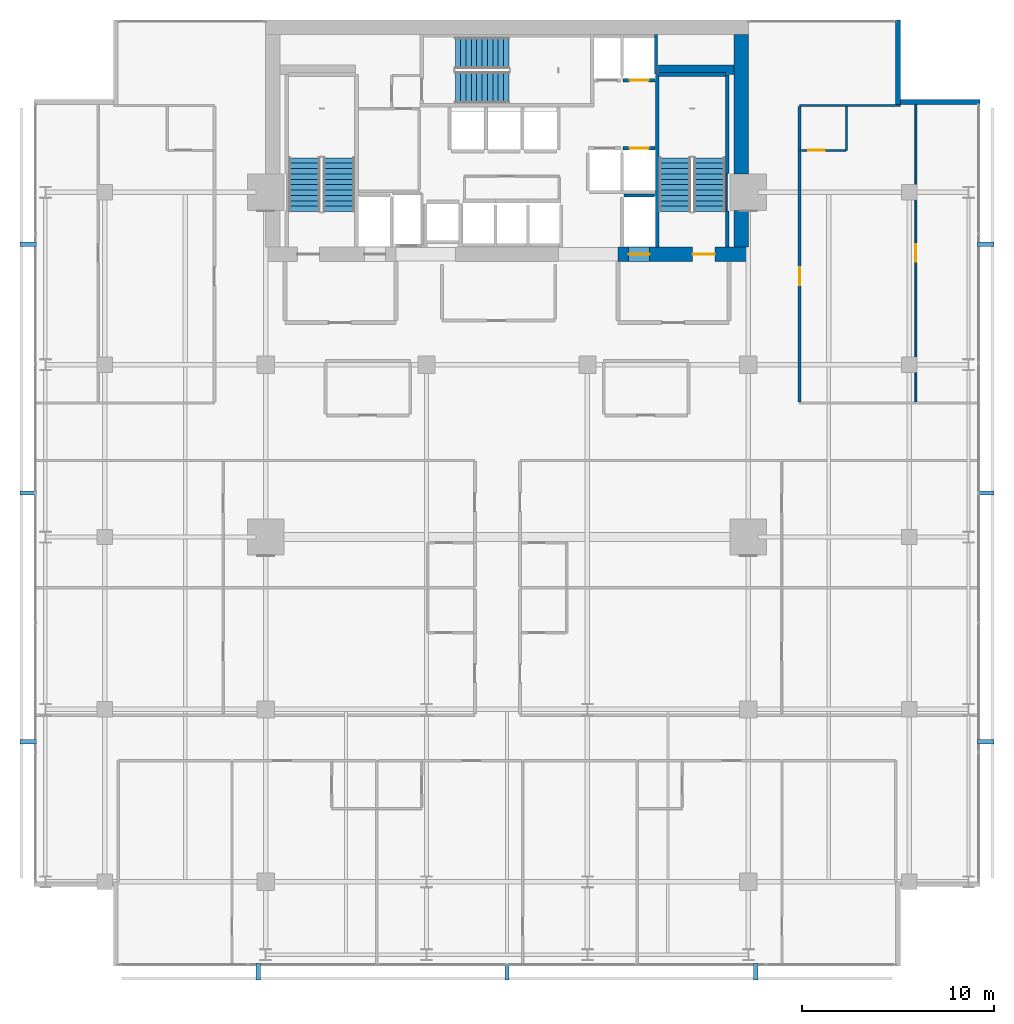
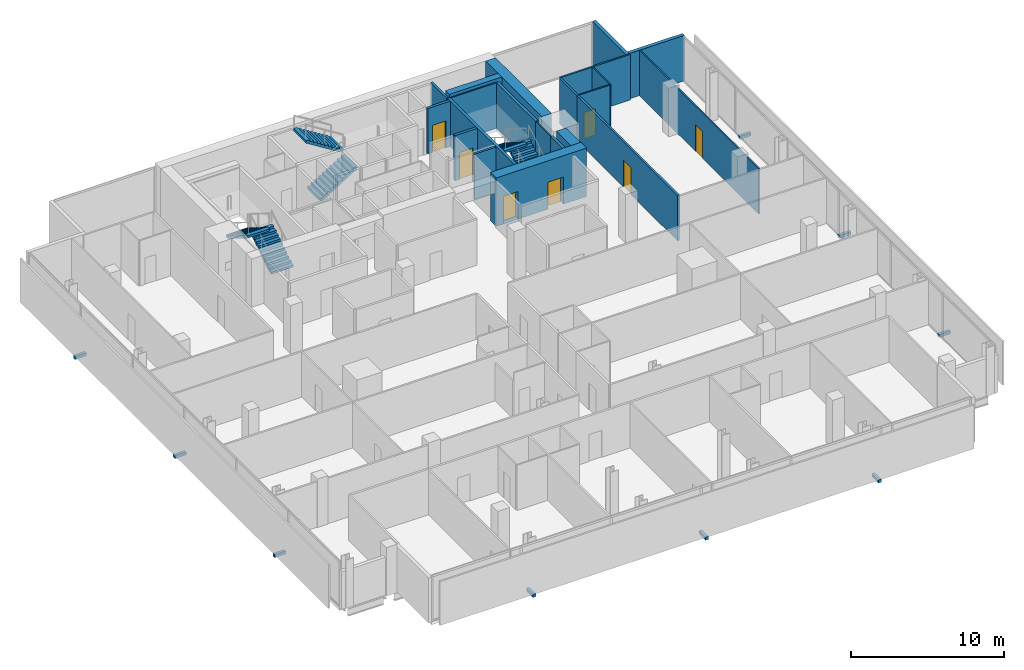
# One storey, part 30 of 32: 21 walls, 9 discrete accessories, 7 doors, 6 stair flights, 7 openings, 3 elements without a shape of their own.
"""IFC4 building model written with IfcOpenShell, lengths in metres."""

from ifc_helpers import new_model, si_unit, direction, frame, frame_2d, origin, origin_2d, place, context, subcontext, project, spatial, polyline, rectangle, outline, extrude, material, layer, layer_set, type_object, element, fill, aggregate, save


model = new_model("IFC4")

# Units and contexts
model_context = context("Model", 3, precision=1e-05, world=origin(), true_north=direction((0.0, 1.0)))
body_context = subcontext(model_context, "Body", "Model", "MODEL_VIEW")
ifc_project = project(units=[si_unit("LENGTHUNIT", "METRE"), si_unit("AREAUNIT", "SQUARE_METRE"), si_unit("VOLUMEUNIT", "CUBIC_METRE"), si_unit("PLANEANGLEUNIT", "RADIAN"), si_unit("MASSUNIT", "GRAM", prefix="KILO")], contexts=[model_context])

# Site, building, storey
site_placement = place(None, origin())
site = spatial("IfcSite", under=ifc_project, at=site_placement, CompositionType="ELEMENT")
building_placement = place(site_placement, origin())
building = spatial("IfcBuilding", under=site, at=building_placement, Name="Maruvema Waterfront Hotel and Observation Tower", CompositionType="ELEMENT")
storey_placement = place(building_placement, frame((0.0, 0.0, 162.050048828125)))
storey = spatial("IfcBuildingStorey", under=building, at=storey_placement, Name="L39", CompositionType="ELEMENT", Elevation=162.050048828125)

# Wall, opening, door
ifc_material_1 = material(Name="Twin-stud acoustic gypsum drywall", Category="gypsum")
ifc_layer_1 = layer(ifc_material_1, 0.14990234375, Name="Acoustic Corridor and Suite Demising Wall 150 mm")
ifc_layer_set_1 = layer_set([ifc_layer_1], Name="Twin-stud acoustic gypsum drywall")
wall_type_1 = type_object("IfcWallType", Name="Acoustic Corridor and Suite Demising Wall 150 mm", PredefinedType="PARTITIONING", material=ifc_layer_set_1)
wall_1_placement = place(storey_placement, frame((53.080078125, 34.06005859375, 0.0), z_axis=(0.0, 0.0, 1.0), x_axis=(0.0, 1.0, 0.0)))
wall_1 = element("IfcWall", 1, at=wall_1_placement, inside=storey, type_object=wall_type_1, Name="L39 Room L39-NE1 Corridor Wall 086", PredefinedType="PARTITIONING", context=body_context, shape_type="SweptSolid", body=[
    extrude(rectangle(XDim=13.12744140625, YDim=0.14990234375, at=frame_2d((6.563720703125, 0.0))), origin(), (0.0, 0.0, 1.0), 3.60986328125),
])
opening_1_placement = place(wall_1_placement, frame((6.088623046875, 0.0, 0.0)))
opening_1 = element("IfcOpeningElement", 2, at=opening_1_placement, cuts=wall_1, Name="Opening DR-095", PredefinedType="OPENING", context=body_context, shape_type="SweptSolid", body=[
    extrude(rectangle(XDim=0.949951171875, YDim=2.14990234375, at=frame_2d((0.47509765625, 1.074951171875))), frame((0.0, 0.0849609375, 0.0), z_axis=(0.0, -1.0, 0.0), x_axis=(1.0, 0.0, 0.0)), (0.0, 0.0, 1.0), 0.169921875),
])
ifc_material_2 = material(Name="Acoustic solid-core hardwood timber leaf", Category="wood")
door_type_1 = type_object("IfcDoorType", Name="Guestroom Entrance Fire Door 950x2150 mm", OperationType="NOTDEFINED", PredefinedType="DOOR", material=ifc_material_2)
door_1_placement = place(opening_1_placement, frame((0.949951171875, 0.0, 0.0), z_axis=(0.0, 0.0, 1.0), x_axis=(-1.0, 0.0, 0.0)))
door_1 = element("IfcDoor", 3, at=door_1_placement, inside=storey, type_object=door_type_1, Name="L39 Room L39-NE1 Entrance Door", OperationType="SINGLE_SWING_LEFT", OverallHeight=2.14990234375, OverallWidth=0.949951171875, PredefinedType="DOOR", context=body_context, shape_type="SweptSolid", body=[
    extrude(rectangle(XDim=0.949951171875, YDim=2.14990234375, at=frame_2d((0.47509765625, 1.074951171875))), frame((0.0, 0.02490234375, 0.0), z_axis=(0.0, -1.0, 0.0), x_axis=(1.0, 0.0, 0.0)), (0.0, 0.0, 1.0), 0.050048828125),
])
fill(opening_1, door_1)

# Walls
wall_2_placement = place(storey_placement, frame((53.080078125, 47.1875, 0.0), z_axis=(0.0, 0.0, 1.0), x_axis=(0.0, 1.0, 0.0)))
element("IfcWall", 4, at=wall_2_placement, inside=storey, type_object=wall_type_1, Name="L39 Bath L39-NE1 Wall 087", PredefinedType="PARTITIONING", context=body_context, shape_type="SweptSolid", body=[
    extrude(rectangle(XDim=2.2900390625, YDim=0.14990234375, at=frame_2d((1.14501953125, 0.0))), origin(), (0.0, 0.0, 1.0), 3.60986328125),
])
ifc_material_3 = material(Name="Precast concrete C45/55", Category="concrete")
ifc_layer_2 = layer(ifc_material_3, 0.199951171875, Name="Core Shaft and Stairwell Enclosure Wall 200 mm")
ifc_layer_set_2 = layer_set([ifc_layer_2], Name="Precast concrete C45/55")
wall_type_2 = type_object("IfcWallType", Name="Core Shaft and Stairwell Enclosure Wall 200 mm", PredefinedType="SOLIDWALL", material=ifc_layer_set_2)
wall_3_placement = place(storey_placement, frame((45.64990234375, 42.14990234375, 0.0), z_axis=(0.0, 0.0, 1.0), x_axis=(0.0, 1.0, 0.0)))
element("IfcWall", 5, at=wall_3_placement, inside=storey, type_object=wall_type_2, Name="L39 Stairwell ST-03 West Shaft Wall", PredefinedType="SOLIDWALL", context=body_context, shape_type="SweptSolid", body=[
    extrude(rectangle(XDim=9.0, YDim=0.199951171875, at=frame_2d((4.5, 0.0))), origin(), (0.0, 0.0, 1.0), 3.60986328125),
])
wall_4_placement = place(storey_placement, frame((49.300048828125, 42.14990234375, 0.0), z_axis=(0.0, 0.0, 1.0), x_axis=(0.0, 1.0, 0.0)))
element("IfcWall", 6, at=wall_4_placement, inside=storey, type_object=wall_type_2, Name="L39 Stairwell ST-03 Shaft Lining Wall", PredefinedType="SOLIDWALL", context=body_context, shape_type="SweptSolid", body=[
    extrude(rectangle(XDim=1.8701171875, YDim=0.199951171875, at=frame_2d((0.93505859375, 0.0))), origin(), (0.0, 0.0, 1.0), 3.60986328125),
])
wall_5_placement = place(storey_placement, frame((49.300048828125, 45.97998046875, 0.0), z_axis=(0.0, 0.0, 1.0), x_axis=(0.0, 1.0, 0.0)))
element("IfcWall", 7, at=wall_5_placement, inside=storey, type_object=wall_type_2, Name="L39 Stairwell ST-03 Shaft Lining Wall", PredefinedType="SOLIDWALL", context=body_context, shape_type="SweptSolid", body=[
    extrude(rectangle(XDim=5.14013671875, YDim=0.199951171875, at=frame_2d((2.570068359375, 0.0))), origin(), (0.0, 0.0, 1.0), 3.60986328125),
])
wall_6_placement = place(storey_placement, frame((45.719970703125, 51.14990234375, 0.0), z_axis=(0.0, 0.0, 1.0), x_axis=(1.0, 0.0, 0.0)))
element("IfcWall", 8, at=wall_6_placement, inside=storey, type_object=wall_type_2, Name="L39 Stairwell ST-03 Shaft Lining Wall", PredefinedType="SOLIDWALL", context=body_context, shape_type="SweptSolid", body=[
    extrude(rectangle(XDim=3.5, YDim=0.199951171875, at=frame_2d((1.75, 0.0))), origin(), (0.0, 0.0, 1.0), 3.60986328125),
])

# Wall, opening, door
wall_7_placement = place(storey_placement, frame((43.860107421875, 47.300048828125, 0.0), z_axis=(0.0, 0.0, 1.0), x_axis=(1.0, 0.0, 0.0)))
wall_7 = element("IfcWall", 9, at=wall_7_placement, inside=storey, type_object=wall_type_2, Name="L39 Lift LF-06 Hoistway Front Wall", PredefinedType="SOLIDWALL", context=body_context, shape_type="SweptSolid", body=[
    extrude(rectangle(XDim=1.679931640625, YDim=0.199951171875, at=frame_2d((0.83984375, 0.0))), origin(), (0.0, 0.0, 1.0), 3.60986328125),
])
opening_2_placement = place(wall_7_placement, frame((0.340087890625, 0.0, 0.0)))
opening_2 = element("IfcOpeningElement", 10, at=opening_2_placement, cuts=wall_7, Name="Opening LD-01", PredefinedType="OPENING", context=body_context, shape_type="SweptSolid", body=[
    extrude(rectangle(XDim=1.0, YDim=2.14990234375, at=frame_2d((0.5, 1.074951171875))), frame((0.0, 0.10986328125, 0.0), z_axis=(0.0, -1.0, 0.0), x_axis=(1.0, 0.0, 0.0)), (0.0, 0.0, 1.0), 0.219970703125),
])
ifc_material_4 = material(Name="Brushed stainless steel Grade 316", Category="steel")
door_type_2 = type_object("IfcDoorType", Name="Passenger Lift Sliding Landing Door 1000x2150 mm", OperationType="SLIDING_TO_LEFT", PredefinedType="DOOR", material=ifc_material_4)
door_2_placement = place(opening_2_placement, origin())
door_2 = element("IfcDoor", 11, at=door_2_placement, inside=storey, type_object=door_type_2, Name="L39 Lift LF-06 Sliding Landing Door", OperationType="SLIDING_TO_LEFT", OverallHeight=2.14990234375, OverallWidth=1.0, PredefinedType="DOOR", context=body_context, shape_type="SweptSolid", body=[
    extrude(rectangle(XDim=1.0, YDim=2.14990234375, at=frame_2d((0.5, 1.074951171875))), frame((0.0, 0.02490234375, 0.0), z_axis=(0.0, -1.0, 0.0), x_axis=(1.0, 0.0, 0.0)), (0.0, 0.0, 1.0), 0.050048828125),
])
fill(opening_2, door_2)

wall_8_placement = place(storey_placement, frame((43.860107421875, 50.85009765625, 0.0), z_axis=(0.0, 0.0, 1.0), x_axis=(1.0, 0.0, 0.0)))
wall_8 = element("IfcWall", 12, at=wall_8_placement, inside=storey, type_object=wall_type_2, Name="L39 Lift LF-08 Hoistway Front Wall", PredefinedType="SOLIDWALL", context=body_context, shape_type="SweptSolid", body=[
    extrude(rectangle(XDim=1.679931640625, YDim=0.199951171875, at=frame_2d((0.83984375, 0.0))), origin(), (0.0, 0.0, 1.0), 3.60986328125),
])
opening_3_placement = place(wall_8_placement, frame((0.340087890625, 0.0, 0.0)))
opening_3 = element("IfcOpeningElement", 13, at=opening_3_placement, cuts=wall_8, Name="Opening LD-01", PredefinedType="OPENING", context=body_context, shape_type="SweptSolid", body=[
    extrude(rectangle(XDim=1.0, YDim=2.14990234375, at=frame_2d((0.5, 1.074951171875))), frame((0.0, 0.10986328125, 0.0), z_axis=(0.0, -1.0, 0.0), x_axis=(1.0, 0.0, 0.0)), (0.0, 0.0, 1.0), 0.219970703125),
])
door_3_placement = place(opening_3_placement, frame((1.0, 0.0, 0.0), z_axis=(0.0, 0.0, 1.0), x_axis=(-1.0, 0.0, 0.0)))
door_3 = element("IfcDoor", 14, at=door_3_placement, inside=storey, type_object=door_type_2, Name="L39 Lift LF-08 Sliding Landing Door", OperationType="SLIDING_TO_LEFT", OverallHeight=2.14990234375, OverallWidth=1.0, PredefinedType="DOOR", context=body_context, shape_type="SweptSolid", body=[
    extrude(rectangle(XDim=1.0, YDim=2.14990234375, at=frame_2d((0.5, 1.074951171875))), frame((0.0, 0.02490234375, 0.0), z_axis=(0.0, -1.0, 0.0), x_axis=(1.0, 0.0, 0.0)), (0.0, 0.0, 1.0), 0.050048828125),
])
fill(opening_3, door_3)

# Wall
ifc_material_5 = material(Name="Concrete C70/85", Category="concrete")
ifc_layer_3 = layer(ifc_material_5, 0.5, Name="Core Shear Wall 500 mm")
ifc_layer_set_3 = layer_set([ifc_layer_3], Name="Concrete C70/85")
wall_type_3 = type_object("IfcWallType", Name="Core Shear Wall 500 mm", PredefinedType="SHEAR", material=ifc_layer_set_3)
wall_9_placement = place(storey_placement, frame((45.699951171875, 51.39990234375, 0.0), z_axis=(0.0, 0.0, 1.0), x_axis=(1.0, 0.0, 0.0)))
element("IfcWall", 15, at=wall_9_placement, inside=storey, type_object=wall_type_3, Name="L39 Internal Core Shear Wall NE 500 mm", PredefinedType="SHEAR", context=body_context, shape_type="SweptSolid", body=[
    extrude(rectangle(XDim=3.949951171875, YDim=0.5, at=frame_2d((1.97509765625, 0.0))), origin(), (0.0, 0.0, 1.0), 3.849853515625),
])

# Wall, openings, doors
ifc_material_6 = material(Name="Concrete C70/85", Category="concrete")
ifc_layer_4 = layer(ifc_material_6, 0.75, Name="Core Shear Wall 750 mm")
ifc_layer_set_4 = layer_set([ifc_layer_4], Name="Concrete C70/85")
wall_type_4 = type_object("IfcWallType", Name="Core Shear Wall 750 mm", PredefinedType="SHEAR", material=ifc_layer_set_4)
wall_10_placement = place(storey_placement, frame((43.60009765625, 41.77490234375, 0.0), z_axis=(0.0, 0.0, 1.0), x_axis=(1.0, 0.0, 0.0)))
wall_10 = element("IfcWall", 16, at=wall_10_placement, inside=storey, type_object=wall_type_4, Name="L39 South-East Core Shear Wall", PredefinedType="SHEAR", context=body_context, shape_type="SweptSolid", body=[
    extrude(rectangle(XDim=6.7998046875, YDim=0.75, at=frame_2d((3.39990234375, 0.0))), origin(), (0.0, 0.0, 1.0), 3.849853515625),
])
opening_4_placement = place(wall_10_placement, frame((3.89990234375, 0.0, 0.0)))
opening_4 = element("IfcOpeningElement", 17, at=opening_4_placement, cuts=wall_10, Name="Opening SD-01", PredefinedType="OPENING", context=body_context, shape_type="SweptSolid", body=[
    extrude(rectangle(XDim=1.14990234375, YDim=2.14990234375, at=frame_2d((0.574951171875, 1.074951171875))), frame((0.0, 0.385009765625, 0.0), z_axis=(0.0, -1.0, 0.0), x_axis=(1.0, 0.0, 0.0)), (0.0, 0.0, 1.0), 0.77001953125),
])
opening_5_placement = place(wall_10_placement, frame((0.550048828125, 0.0, 0.0)))
opening_5 = element("IfcOpeningElement", 18, at=opening_5_placement, cuts=wall_10, Name="Opening LD-03", PredefinedType="OPENING", context=body_context, shape_type="SweptSolid", body=[
    extrude(rectangle(XDim=1.10009765625, YDim=2.199951171875, at=frame_2d((0.550048828125, 1.10009765625))), frame((0.0, 0.385009765625, 0.0), z_axis=(0.0, -1.0, 0.0), x_axis=(1.0, 0.0, 0.0)), (0.0, 0.0, 1.0), 0.77001953125),
])
ifc_material_7 = material(Name="Fire-rated galvanised steel leaf", Category="steel")
door_type_3 = type_object("IfcDoorType", Name="Exit Stair Fire Door 1150x2150 mm", OperationType="NOTDEFINED", PredefinedType="DOOR", material=ifc_material_7)
door_4_placement = place(opening_4_placement, origin())
door_4 = element("IfcDoor", 19, at=door_4_placement, inside=storey, type_object=door_type_3, Name="L39 Exit Stair ST-03 Fire Door", OperationType="SINGLE_SWING_RIGHT", OverallHeight=2.14990234375, OverallWidth=1.14990234375, PredefinedType="DOOR", context=body_context, shape_type="SweptSolid", body=[
    extrude(rectangle(XDim=1.14990234375, YDim=2.14990234375, at=frame_2d((0.574951171875, 1.074951171875))), frame((0.0, 0.02490234375, 0.0), z_axis=(0.0, -1.0, 0.0), x_axis=(1.0, 0.0, 0.0)), (0.0, 0.0, 1.0), 0.050048828125),
])
fill(opening_4, door_4)
ifc_material_8 = material(Name="Brushed stainless steel Grade 316", Category="steel")
door_type_4 = type_object("IfcDoorType", Name="Firefighting Lift Sliding Landing Door 1100x2200 mm", OperationType="SLIDING_TO_LEFT", PredefinedType="DOOR", material=ifc_material_8)
door_5_placement = place(opening_5_placement, frame((1.10009765625, 0.0, 0.0), z_axis=(0.0, 0.0, 1.0), x_axis=(-1.0, 0.0, 0.0)))
door_5 = element("IfcDoor", 20, at=door_5_placement, inside=storey, type_object=door_type_4, Name="L39 Firefighting Lift FL-02 Landing Door", OperationType="SLIDING_TO_LEFT", OverallHeight=2.199951171875, OverallWidth=1.10009765625, PredefinedType="DOOR", context=body_context, shape_type="SweptSolid", body=[
    extrude(rectangle(XDim=1.10009765625, YDim=2.199951171875, at=frame_2d((0.550048828125, 1.10009765625))), frame((0.0, 0.02490234375, 0.0), z_axis=(0.0, -1.0, 0.0), x_axis=(1.0, 0.0, 0.0)), (0.0, 0.0, 1.0), 0.050048828125),
])
fill(opening_5, door_5)

# Walls
wall_11_placement = place(storey_placement, frame((50.02490234375, 42.14990234375, 0.0), z_axis=(0.0, 0.0, 1.0), x_axis=(0.0, 1.0, 0.0)))
element("IfcWall", 21, at=wall_11_placement, inside=storey, type_object=wall_type_4, Name="L39 East-South Core Shear Wall", PredefinedType="SHEAR", context=body_context, shape_type="SweptSolid", body=[
    extrude(rectangle(XDim=1.900146484375, YDim=0.75, at=frame_2d((0.9501953125, 0.0))), origin(), (0.0, 0.0, 1.0), 3.849853515625),
])
wall_12_placement = place(storey_placement, frame((50.02490234375, 45.949951171875, 0.0), z_axis=(0.0, 0.0, 1.0), x_axis=(0.0, 1.0, 0.0)))
element("IfcWall", 22, at=wall_12_placement, inside=storey, type_object=wall_type_4, Name="L39 East-North Core Shear Wall", PredefinedType="SHEAR", context=body_context, shape_type="SweptSolid", body=[
    extrude(rectangle(XDim=7.300048828125, YDim=0.75, at=frame_2d((3.64990234375, 0.0))), origin(), (0.0, 0.0, 1.0), 3.849853515625),
])
ifc_material_9 = material(Name="Moisture-resistant cement-board drywall", Category="gypsum")
ifc_layer_5 = layer(ifc_material_9, 0.10009765625, Name="En-Suite Moisture-Resistant Partition 100 mm")
ifc_layer_set_5 = layer_set([ifc_layer_5], Name="Moisture-resistant cement-board drywall")
wall_type_5 = type_object("IfcWallType", Name="En-Suite Moisture-Resistant Partition 100 mm", PredefinedType="PARTITIONING", material=ifc_layer_set_5)
wall_13_placement = place(storey_placement, frame((55.530029296875, 47.1875, 0.0), z_axis=(0.0, 0.0, 1.0), x_axis=(0.0, 1.0, 0.0)))
element("IfcWall", 23, at=wall_13_placement, inside=storey, type_object=wall_type_5, Name="L39 En-Suite L39-NE1 E 088", PredefinedType="PARTITIONING", context=body_context, shape_type="SweptSolid", body=[
    extrude(rectangle(XDim=2.2900390625, YDim=0.10009765625, at=frame_2d((1.14501953125, 0.0))), origin(), (0.0, 0.0, 1.0), 3.60986328125),
])

# Wall, opening, door
wall_14_placement = place(storey_placement, frame((53.179931640625, 47.1875, 0.0), z_axis=(0.0, 0.0, 1.0), x_axis=(1.0, 0.0, 0.0)))
wall_14 = element("IfcWall", 24, at=wall_14_placement, inside=storey, type_object=wall_type_5, Name="L39 En-Suite L39-NE1 S 089", PredefinedType="PARTITIONING", context=body_context, shape_type="SweptSolid", body=[
    extrude(rectangle(XDim=2.300048828125, YDim=0.10009765625, at=frame_2d((1.14990234375, 0.0))), origin(), (0.0, 0.0, 1.0), 3.60986328125),
])
opening_6_placement = place(wall_14_placement, frame((0.35009765625, 0.0, 0.0)))
opening_6 = element("IfcOpeningElement", 25, at=opening_6_placement, cuts=wall_14, Name="Opening DR-085", PredefinedType="OPENING", context=body_context, shape_type="SweptSolid", body=[
    extrude(rectangle(XDim=0.85009765625, YDim=2.10009765625, at=frame_2d((0.425048828125, 1.050048828125))), frame((0.0, 0.06005859375, 0.0), z_axis=(0.0, -1.0, 0.0), x_axis=(1.0, 0.0, 0.0)), (0.0, 0.0, 1.0), 0.1201171875),
])
ifc_material_10 = material(Name="Moisture-resistant solid timber leaf", Category="wood")
door_type_5 = type_object("IfcDoorType", Name="En-Suite Bathroom Door 850x2100 mm", OperationType="NOTDEFINED", PredefinedType="DOOR", material=ifc_material_10)
door_6_placement = place(opening_6_placement, frame((0.85009765625, 0.0, 0.0), z_axis=(0.0, 0.0, 1.0), x_axis=(-1.0, 0.0, 0.0)))
door_6 = element("IfcDoor", 26, at=door_6_placement, inside=storey, type_object=door_type_5, Name="L39 En-Suite L39-NE1 Door", OperationType="SINGLE_SWING_RIGHT", OverallHeight=2.10009765625, OverallWidth=0.85009765625, PredefinedType="DOOR", context=body_context, shape_type="SweptSolid", body=[
    extrude(rectangle(XDim=0.85009765625, YDim=2.10009765625, at=frame_2d((0.425048828125, 1.050048828125))), frame((0.0, 0.02490234375, 0.0), z_axis=(0.0, -1.0, 0.0), x_axis=(1.0, 0.0, 0.0)), (0.0, 0.0, 1.0), 0.050048828125),
])
fill(opening_6, door_6)

wall_15_placement = place(storey_placement, frame((59.154296875, 34.06005859375, 0.0), z_axis=(0.0, 0.0, 1.0), x_axis=(0.0, 1.0, 0.0)))
wall_15 = element("IfcWall", 27, at=wall_15_placement, inside=storey, type_object=wall_type_5, Name="L39 Suite L39-NE1 Split 090", PredefinedType="PARTITIONING", context=body_context, shape_type="SweptSolid", body=[
    extrude(rectangle(XDim=15.537353515625, YDim=0.10009765625, at=frame_2d((7.7685546875, 0.0))), origin(), (0.0, 0.0, 1.0), 3.60986328125),
])
opening_7_placement = place(wall_15_placement, frame((7.318603515625, 0.0, 0.0)))
opening_7 = element("IfcOpeningElement", 28, at=opening_7_placement, cuts=wall_15, Name="Opening DR-090", PredefinedType="OPENING", context=body_context, shape_type="SweptSolid", body=[
    extrude(rectangle(XDim=0.89990234375, YDim=2.10009765625, at=frame_2d((0.449951171875, 1.050048828125))), frame((0.0, 0.06005859375, 0.0), z_axis=(0.0, -1.0, 0.0), x_axis=(1.0, 0.0, 0.0)), (0.0, 0.0, 1.0), 0.1201171875),
])
ifc_material_11 = material(Name="Solid-core lacquered timber leaf", Category="wood")
door_type_6 = type_object("IfcDoorType", Name="Accessible Toilet and Room Door 900x2100 mm", OperationType="NOTDEFINED", PredefinedType="DOOR", material=ifc_material_11)
door_7_placement = place(opening_7_placement, frame((0.89990234375, 0.0, 0.0), z_axis=(0.0, 0.0, 1.0), x_axis=(-1.0, 0.0, 0.0)))
door_7 = element("IfcDoor", 29, at=door_7_placement, inside=storey, type_object=door_type_6, Name="L39 Suite L39-NE1 Bedroom Door", OperationType="SINGLE_SWING_RIGHT", OverallHeight=2.10009765625, OverallWidth=0.89990234375, PredefinedType="DOOR", context=body_context, shape_type="SweptSolid", body=[
    extrude(rectangle(XDim=0.89990234375, YDim=2.10009765625, at=frame_2d((0.449951171875, 1.050048828125))), frame((0.0, 0.02490234375, 0.0), z_axis=(0.0, -1.0, 0.0), x_axis=(1.0, 0.0, 0.0)), (0.0, 0.0, 1.0), 0.050048828125),
])
fill(opening_7, door_7)

# Walls
ifc_material_12 = material(Name="Precast concrete C45/55 with honed Pernambuco granite facing", Category="masonry")
ifc_layer_6 = layer(ifc_material_12, 0.260009765625, Name="Exterior Granite Clad Spandrel and Pier Wall 260 mm")
ifc_layer_set_6 = layer_set([ifc_layer_6], Name="Precast concrete C45/55 with honed Pernambuco granite facing")
wall_type_6 = type_object("IfcWallType", Name="Exterior Granite Clad Spandrel and Pier Wall 260 mm", PredefinedType="SOLIDWALL", material=ifc_layer_set_6)
for number, where, z_axis, x_axis, name in (
    (30, (58.22998046875, 54.0, 0.0), (0.0, 0.0, 1.0), (0.0, -1.0, 0.0), "L39 Corner Notch Granite Pier Wall NE1"),
    (31, (58.10009765625, 49.72998046875, 0.0), (0.0, 0.0, 1.0), (1.0, 0.0, 0.0), "L39 Corner Notch Granite Pier Wall NE2"),
):
    element("IfcWall", number, at=place(storey_placement, frame(where, z_axis=z_axis, x_axis=x_axis)), inside=storey, type_object=wall_type_6, Name=name, PredefinedType="SOLIDWALL", context=body_context, shape_type="SweptSolid", body=[
        extrude(rectangle(XDim=4.39990234375, YDim=0.260009765625, at=frame_2d((2.199951171875, 0.0))), origin(), (0.0, 0.0, 1.0), 3.60986328125),
    ])
ifc_material_13 = material(Name="Acoustic gypsum plasterboard drywall", Category="gypsum")
ifc_layer_7 = layer(ifc_material_13, 0.125, Name="Guestroom Acoustic Demising Wall 125 mm")
ifc_layer_set_7 = layer_set([ifc_layer_7], Name="Acoustic gypsum plasterboard drywall")
wall_type_7 = type_object("IfcWallType", Name="Guestroom Acoustic Demising Wall 125 mm", PredefinedType="PARTITIONING", material=ifc_layer_set_7)
wall_16_placement = place(storey_placement, frame((53.080078125, 49.53759765625, 0.0), z_axis=(0.0, 0.0, 1.0), x_axis=(1.0, 0.0, 0.0)))
element("IfcWall", 32, at=wall_16_placement, inside=storey, type_object=wall_type_7, Name="L39 Z2 NE Top End 080", PredefinedType="PARTITIONING", context=body_context, shape_type="SweptSolid", body=[
    extrude(rectangle(XDim=5.280029296875, YDim=0.125, at=frame_2d((2.64013671875, 0.0))), origin(), (0.0, 0.0, 1.0), 3.60986328125),
])
ifc_material_14 = material(Name="Precast concrete C45/55", Category="concrete")
ifc_layer_8 = layer(ifc_material_14, 0.159912109375, Name="Lift Hoistway Divider Wall 160 mm")
ifc_layer_set_8 = layer_set([ifc_layer_8], Name="Precast concrete C45/55")
wall_type_8 = type_object("IfcWallType", Name="Lift Hoistway Divider Wall 160 mm", PredefinedType="SOLIDWALL", material=ifc_layer_set_8)
wall_17_placement = place(storey_placement, frame((43.89990234375, 44.830078125, 0.0), z_axis=(0.0, 0.0, 1.0), x_axis=(1.0, 0.0, 0.0)))
element("IfcWall", 33, at=wall_17_placement, inside=storey, type_object=wall_type_8, Name="L39 Lift FL-02 Rear Hoistway Wall", PredefinedType="SOLIDWALL", context=body_context, shape_type="SweptSolid", body=[
    extrude(rectangle(XDim=1.60009765625, YDim=0.159912109375, at=frame_2d((0.800048828125, 0.0))), origin(), (0.0, 0.0, 1.0), 3.60986328125),
])
wall_18_placement = place(storey_placement, frame((45.590087890625, 51.179931640625, 0.0), z_axis=(0.0, 0.0, 1.0), x_axis=(0.0, 1.0, 0.0)))
element("IfcWall", 34, at=wall_18_placement, inside=storey, type_object=wall_type_8, Name="L39 Hoistway Divider Wall", PredefinedType="SOLIDWALL", context=body_context, shape_type="SweptSolid", body=[
    extrude(rectangle(XDim=2.070068359375, YDim=0.159912109375, at=frame_2d((1.03515625, 0.0))), origin(), (0.0, 0.0, 1.0), 3.60986328125),
])
ifc_material_15 = material(Name="Precast concrete C45/55", Category="concrete")
ifc_layer_9 = layer(ifc_material_15, 0.10009765625, Name="Stairwell Stringer Cheek Wall 100 mm")
ifc_layer_set_9 = layer_set([ifc_layer_9], Name="Precast concrete C45/55")
wall_type_9 = type_object("IfcWallType", Name="Stairwell Stringer Cheek Wall 100 mm", PredefinedType="SOLIDWALL", material=ifc_layer_set_9)
wall_19_placement = place(storey_placement, frame((49.248046875, 44.0400390625, 0.0), z_axis=(0.0, 0.0, 1.0), x_axis=(0.0, 1.0, 0.0)))
element("IfcWall", 35, at=wall_19_placement, inside=storey, type_object=wall_type_9, Name="L39 Stairwell ST-03 Mega-Column Cheek Wall", PredefinedType="SOLIDWALL", context=body_context, shape_type="SweptSolid", body=[
    extrude(rectangle(XDim=1.919921875, YDim=0.10009765625, at=frame_2d((0.9599609375, 0.0))), origin(), (0.0, 0.0, 1.0), 3.60986328125),
])

# Stair, stair flights
ifc_material_16 = material(Name="Concrete C50/60", Category="concrete")
stair_type = type_object("IfcStairType", Name="Dogleg Exit Stair 1650 mm (22R x 175.0 mm)", PredefinedType="HALF_TURN_STAIR", material=ifc_material_16)
stair_1_placement = place(storey_placement, origin())
stair_1 = element("IfcStair", 36, at=stair_1_placement, inside=storey, type_object=stair_type, Name="L39 ST-01", PredefinedType="HALF_TURN_STAIR")
ifc_material_17 = material(Name="Concrete C50/60", Category="concrete")
stair_flight_type = type_object("IfcStairFlightType", Name="Reinforced Concrete Stair Flight 1650 mm (11R x 175.0 mm)", PredefinedType="STRAIGHT", material=ifc_material_17)
stair_flight_1_placement = place(storey_placement, frame((29.02490234375, 44.0, 0.0), z_axis=(0.0, 0.0, 1.0), x_axis=(0.0, 1.0, 0.0)))
stair_flight_1 = element("IfcStairFlight", 37, at=stair_flight_1_placement, type_object=stair_flight_type, Name="ST-01 flight 1", NumberOfRisers=11, NumberOfTreads=10, PredefinedType="STRAIGHT", RiserHeight=0.175, TreadLength=0.28, context=body_context, shape_type="SweptSolid", body=[
    extrude(outline(polyline([(0.0, 0.0), (0.0, 0.175048828125), (0.280029296875, 0.175048828125), (0.280029296875, 0.35009765625), (0.56005859375, 0.35009765625), (0.56005859375, 0.52490234375), (0.840087890625, 0.52490234375), (0.840087890625, 0.699951171875), (1.1201171875, 0.699951171875), (1.1201171875, 0.875), (1.39990234375, 0.875), (1.39990234375, 1.050048828125), (1.679931640625, 1.050048828125), (1.679931640625, 1.22509765625), (1.9599609375, 1.22509765625), (1.9599609375, 1.39990234375), (2.239990234375, 1.39990234375), (2.239990234375, 1.574951171875), (2.52001953125, 1.574951171875), (2.52001953125, 1.75), (2.800048828125, 1.75), (2.800048828125, 1.925048828125), (2.800048828125, 1.5732421875), (0.28271484375, 0.0), (0.0, 0.0)])), frame((0.0, 0.824951171875, 0.0), z_axis=(0.0, -1.0, 0.0), x_axis=(1.0, 0.0, 0.0)), (0.0, 0.0, 1.0), 1.64990234375),
])
stair_flight_2_placement = place(storey_placement, frame((27.22509765625, 46.800048828125, 1.925048828125), z_axis=(0.0, 0.0, 1.0), x_axis=(0.0, -1.0, 0.0)))
stair_flight_2 = element("IfcStairFlight", 38, at=stair_flight_2_placement, type_object=stair_flight_type, Name="ST-01 flight 2", NumberOfRisers=11, NumberOfTreads=10, PredefinedType="STRAIGHT", RiserHeight=0.175, TreadLength=0.28, context=body_context, shape_type="SweptSolid", body=[
    extrude(outline(polyline([(0.0, 0.0), (0.0, 0.175048828125), (0.280029296875, 0.175048828125), (0.280029296875, 0.35009765625), (0.56005859375, 0.35009765625), (0.56005859375, 0.52490234375), (0.840087890625, 0.52490234375), (0.840087890625, 0.699951171875), (1.1201171875, 0.699951171875), (1.1201171875, 0.875), (1.39990234375, 0.875), (1.39990234375, 1.050048828125), (1.679931640625, 1.050048828125), (1.679931640625, 1.22509765625), (1.9599609375, 1.22509765625), (1.9599609375, 1.39990234375), (2.239990234375, 1.39990234375), (2.239990234375, 1.574951171875), (2.52001953125, 1.574951171875), (2.52001953125, 1.75), (2.800048828125, 1.75), (2.800048828125, 1.925048828125), (2.800048828125, 1.5732421875), (0.28271484375, 0.0), (0.0, 0.0)])), frame((0.0, 0.824951171875, 0.0), z_axis=(0.0, -1.0, 0.0), x_axis=(1.0, 0.0, 0.0)), (0.0, 0.0, 1.0), 1.64990234375),
])
aggregate(stair_1, [stair_flight_1, stair_flight_2])

stair_2_placement = place(storey_placement, origin())
stair_2 = element("IfcStair", 39, at=stair_2_placement, inside=storey, type_object=stair_type, Name="L39 ST-02", PredefinedType="HALF_TURN_STAIR")
stair_flight_3_placement = place(storey_placement, frame((35.10009765625, 50.47509765625, 0.0), z_axis=(0.0, 0.0, 1.0), x_axis=(1.0, 0.0, 0.0)))
stair_flight_3 = element("IfcStairFlight", 40, at=stair_flight_3_placement, type_object=stair_flight_type, Name="ST-02 flight 1", NumberOfRisers=11, NumberOfTreads=10, PredefinedType="STRAIGHT", RiserHeight=0.175, TreadLength=0.28, context=body_context, shape_type="SweptSolid", body=[
    extrude(outline(polyline([(0.0, 0.0), (0.0, 0.175048828125), (0.280029296875, 0.175048828125), (0.280029296875, 0.35009765625), (0.56005859375, 0.35009765625), (0.56005859375, 0.52490234375), (0.840087890625, 0.52490234375), (0.840087890625, 0.699951171875), (1.1201171875, 0.699951171875), (1.1201171875, 0.875), (1.39990234375, 0.875), (1.39990234375, 1.050048828125), (1.679931640625, 1.050048828125), (1.679931640625, 1.22509765625), (1.9599609375, 1.22509765625), (1.9599609375, 1.39990234375), (2.239990234375, 1.39990234375), (2.239990234375, 1.574951171875), (2.52001953125, 1.574951171875), (2.52001953125, 1.75), (2.800048828125, 1.75), (2.800048828125, 1.925048828125), (2.800048828125, 1.5732421875), (0.28271484375, 0.0), (0.0, 0.0)])), frame((0.0, 0.824951171875, 0.0), z_axis=(0.0, -1.0, 0.0), x_axis=(1.0, 0.0, 0.0)), (0.0, 0.0, 1.0), 1.64990234375),
])
stair_flight_4_placement = place(storey_placement, frame((37.89990234375, 52.27490234375, 1.925048828125), z_axis=(0.0, 0.0, 1.0), x_axis=(-1.0, 0.0, 0.0)))
stair_flight_4 = element("IfcStairFlight", 41, at=stair_flight_4_placement, type_object=stair_flight_type, Name="ST-02 flight 2", NumberOfRisers=11, NumberOfTreads=10, PredefinedType="STRAIGHT", RiserHeight=0.175, TreadLength=0.28, context=body_context, shape_type="SweptSolid", body=[
    extrude(outline(polyline([(0.0, 0.0), (0.0, 0.175048828125), (0.280029296875, 0.175048828125), (0.280029296875, 0.35009765625), (0.56005859375, 0.35009765625), (0.56005859375, 0.52490234375), (0.840087890625, 0.52490234375), (0.840087890625, 0.699951171875), (1.1201171875, 0.699951171875), (1.1201171875, 0.875), (1.39990234375, 0.875), (1.39990234375, 1.050048828125), (1.679931640625, 1.050048828125), (1.679931640625, 1.22509765625), (1.9599609375, 1.22509765625), (1.9599609375, 1.39990234375), (2.239990234375, 1.39990234375), (2.239990234375, 1.574951171875), (2.52001953125, 1.574951171875), (2.52001953125, 1.75), (2.800048828125, 1.75), (2.800048828125, 1.925048828125), (2.800048828125, 1.5732421875), (0.28271484375, 0.0), (0.0, 0.0)])), frame((0.0, 0.824951171875, 0.0), z_axis=(0.0, -1.0, 0.0), x_axis=(1.0, 0.0, 0.0)), (0.0, 0.0, 1.0), 1.64990234375),
])
aggregate(stair_2, [stair_flight_3, stair_flight_4])

stair_3_placement = place(storey_placement, origin())
stair_3 = element("IfcStair", 42, at=stair_3_placement, inside=storey, type_object=stair_type, Name="L39 ST-03", PredefinedType="HALF_TURN_STAIR")
stair_flight_5_placement = place(storey_placement, frame((48.375, 44.0, 0.0), z_axis=(0.0, 0.0, 1.0), x_axis=(0.0, 1.0, 0.0)))
stair_flight_5 = element("IfcStairFlight", 43, at=stair_flight_5_placement, type_object=stair_flight_type, Name="ST-03 flight 1", NumberOfRisers=11, NumberOfTreads=10, PredefinedType="STRAIGHT", RiserHeight=0.175, TreadLength=0.28, context=body_context, shape_type="SweptSolid", body=[
    extrude(outline(polyline([(0.0, 0.0), (0.0, 0.175048828125), (0.280029296875, 0.175048828125), (0.280029296875, 0.35009765625), (0.56005859375, 0.35009765625), (0.56005859375, 0.52490234375), (0.840087890625, 0.52490234375), (0.840087890625, 0.699951171875), (1.1201171875, 0.699951171875), (1.1201171875, 0.875), (1.39990234375, 0.875), (1.39990234375, 1.050048828125), (1.679931640625, 1.050048828125), (1.679931640625, 1.22509765625), (1.9599609375, 1.22509765625), (1.9599609375, 1.39990234375), (2.239990234375, 1.39990234375), (2.239990234375, 1.574951171875), (2.52001953125, 1.574951171875), (2.52001953125, 1.75), (2.800048828125, 1.75), (2.800048828125, 1.925048828125), (2.800048828125, 1.5732421875), (0.28271484375, 0.0), (0.0, 0.0)])), frame((0.0, 0.824951171875, 0.0), z_axis=(0.0, -1.0, 0.0), x_axis=(1.0, 0.0, 0.0)), (0.0, 0.0, 1.0), 1.64990234375),
])
stair_flight_6_placement = place(storey_placement, frame((46.574951171875, 46.800048828125, 1.925048828125), z_axis=(0.0, 0.0, 1.0), x_axis=(0.0, -1.0, 0.0)))
stair_flight_6 = element("IfcStairFlight", 44, at=stair_flight_6_placement, type_object=stair_flight_type, Name="ST-03 flight 2", NumberOfRisers=11, NumberOfTreads=10, PredefinedType="STRAIGHT", RiserHeight=0.175, TreadLength=0.28, context=body_context, shape_type="SweptSolid", body=[
    extrude(outline(polyline([(0.0, 0.0), (0.0, 0.175048828125), (0.280029296875, 0.175048828125), (0.280029296875, 0.35009765625), (0.56005859375, 0.35009765625), (0.56005859375, 0.52490234375), (0.840087890625, 0.52490234375), (0.840087890625, 0.699951171875), (1.1201171875, 0.699951171875), (1.1201171875, 0.875), (1.39990234375, 0.875), (1.39990234375, 1.050048828125), (1.679931640625, 1.050048828125), (1.679931640625, 1.22509765625), (1.9599609375, 1.22509765625), (1.9599609375, 1.39990234375), (2.239990234375, 1.39990234375), (2.239990234375, 1.574951171875), (2.52001953125, 1.574951171875), (2.52001953125, 1.75), (2.800048828125, 1.75), (2.800048828125, 1.925048828125), (2.800048828125, 1.5732421875), (0.28271484375, 0.0), (0.0, 0.0)])), frame((0.0, 0.824951171875, 0.0), z_axis=(0.0, -1.0, 0.0), x_axis=(1.0, 0.0, 0.0)), (0.0, 0.0, 1.0), 1.64990234375),
])
aggregate(stair_3, [stair_flight_5, stair_flight_6])

# Discrete accessories
ifc_material_18 = material(Name="Duplex stainless steel Grade 2205", Category="steel")
discrete_accessory_type = type_object("IfcDiscreteAccessoryType", Name="Double-Skin Cavity Stainless Outrigger Bracket", PredefinedType="BRACKET", material=ifc_material_18)
for number, where, z_axis, x_axis, name in (
    (45, (24.80810546875, 4.300048828125, -0.14013671875), (0.0, 0.0, 1.0), (1.0, 0.0, 0.0), "L39 Outer Skin Support Bracket 1"),
    (46, (37.800048828125, 4.300048828125, -0.14013671875), (0.0, 0.0, 1.0), (1.0, 0.0, 0.0), "L39 Outer Skin Support Bracket 2"),
    (47, (50.7919921875, 4.300048828125, -0.14013671875), (0.0, 0.0, 1.0), (1.0, 0.0, 0.0), "L39 Outer Skin Support Bracket 3"),
    (48, (62.800048828125, 16.30810546875, -0.14013671875), (0.0, 0.0, 1.0), (0.0, 1.0, 0.0), "L39 Outer Skin Support Bracket 1"),
    (49, (62.800048828125, 29.300048828125, -0.14013671875), (0.0, 0.0, 1.0), (0.0, 1.0, 0.0), "L39 Outer Skin Support Bracket 2"),
    (50, (62.800048828125, 42.2919921875, -0.14013671875), (0.0, 0.0, 1.0), (0.0, 1.0, 0.0), "L39 Outer Skin Support Bracket 3"),
    (51, (12.800048828125, 42.2919921875, -0.14013671875), (0.0, 0.0, 1.0), (0.0, -1.0, 0.0), "L39 Outer Skin Support Bracket 1"),
    (52, (12.800048828125, 29.300048828125, -0.14013671875), (0.0, 0.0, 1.0), (0.0, -1.0, 0.0), "L39 Outer Skin Support Bracket 2"),
    (53, (12.800048828125, 16.30810546875, -0.14013671875), (0.0, 0.0, 1.0), (0.0, -1.0, 0.0), "L39 Outer Skin Support Bracket 3"),
):
    element("IfcDiscreteAccessory", number, at=place(storey_placement, frame(where, z_axis=z_axis, x_axis=x_axis)), inside=storey, type_object=discrete_accessory_type, Name=name, PredefinedType="BRACKET", context=body_context, shape_type="SweptSolid", body=[
        extrude(rectangle(XDim=0.219970703125, YDim=0.860107421875, at=origin_2d()), origin(), (0.0, 0.0, 1.0), 0.239990234375),
    ])

save(model, "model.ifc")
